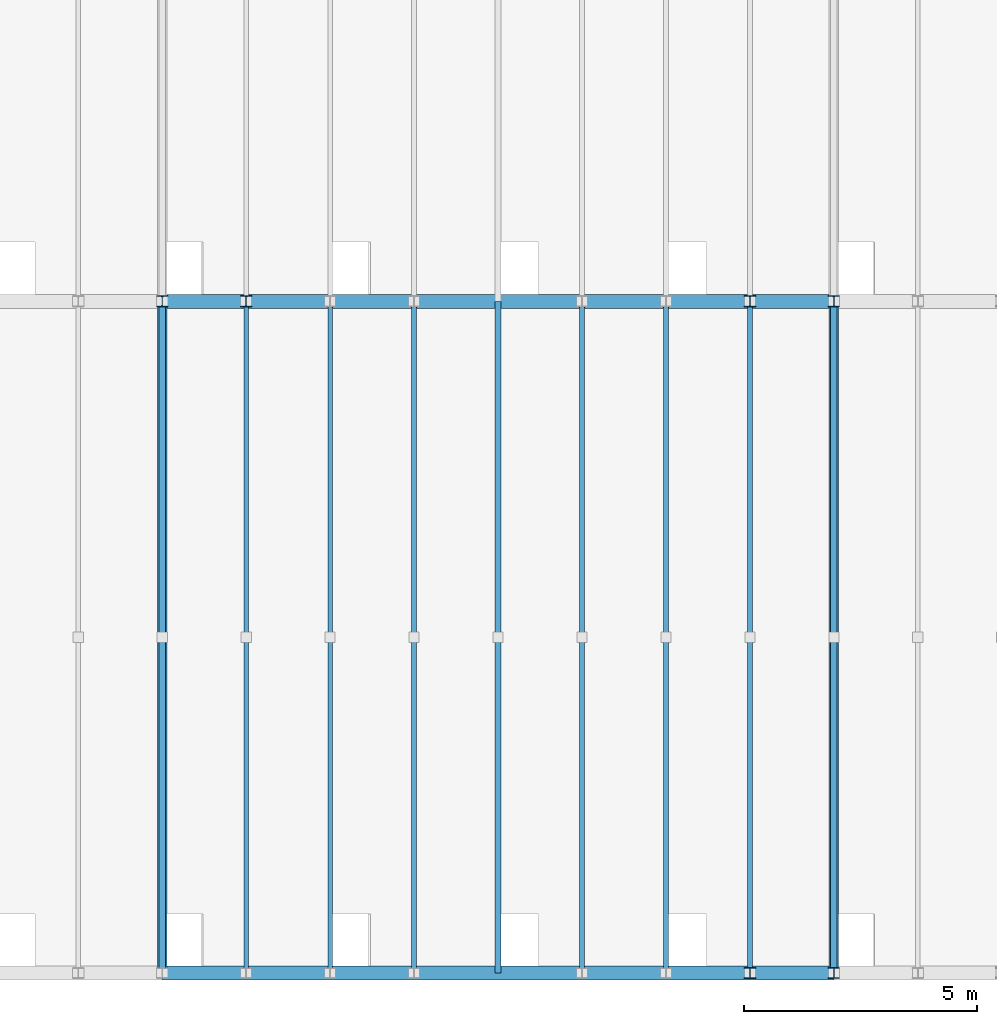
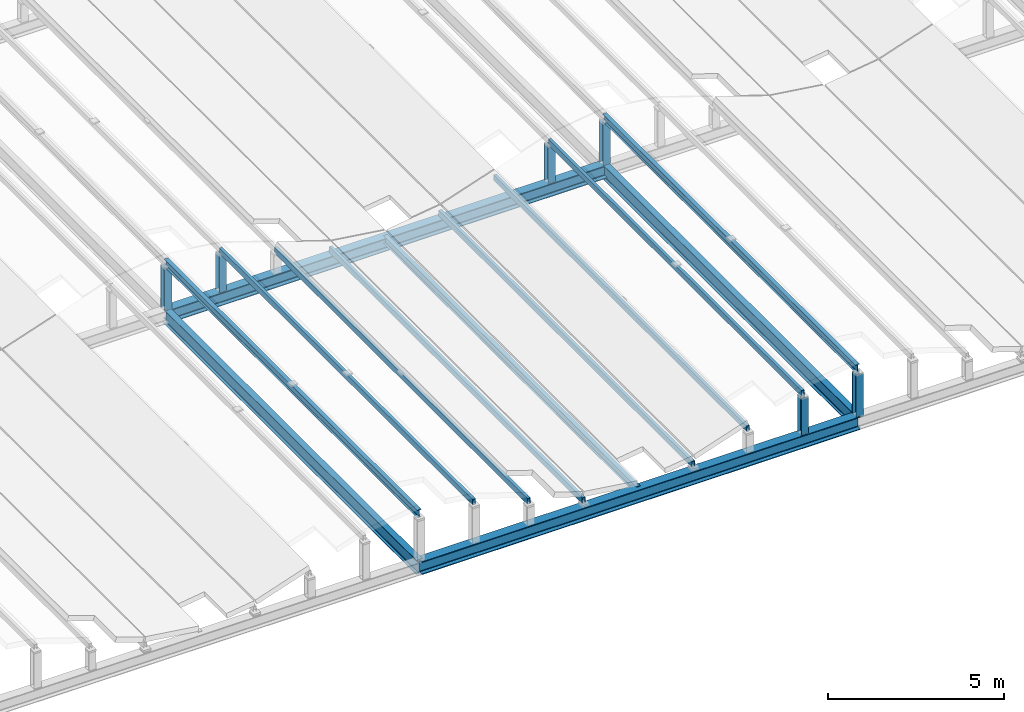
# One storey, part 26 of 83: 15 members, 4 beams.
"""IFC4 building model written with IfcOpenShell, lengths in metres."""

import ifcopenshell
import ifcopenshell.guid

model = None  # the IFC model being written
_history = None  # IfcOwnerHistory: only IFC2X3 demands one
_inside = {}  # id of a spatial element -> (the spatial element, [elements in it])
_under = {}  # id of a project, library or spatial element -> (it, [spatial elements below it])
_declared = {}  # id of a project -> (the project, [libraries it declares])
_typed = {}  # id of a type object -> (the type object, [elements of that type])
_made_of = {}  # id of a material, layer set ... -> (it, [elements and type objects made of it])


def new_model(schema):
    """Start an empty IFC model of exactly this schema.

    Asked for "IFC4X3", IfcOpenShell would pick the latest addendum, in which some entities
    have other attributes; the version numbers below select the first issue.
    IFC2X3 requires an IfcOwnerHistory on every rooted entity: one is made here for all.
    """
    global model, _history
    if schema == "IFC4X3":
        model = ifcopenshell.file(schema_version=(4, 3, 0, 0))
    else:
        model = ifcopenshell.file(schema=schema)
    _inside.clear()
    _under.clear()
    _declared.clear()
    _typed.clear()
    _made_of.clear()
    _history = None
    if model.schema == "IFC2X3":
        org = make("IfcOrganization", Name="unknown")
        user = make(
            "IfcPersonAndOrganization",
            ThePerson=make("IfcPerson", FamilyName="unknown"),
            TheOrganization=org,
        )
        app = make(
            "IfcApplication",
            ApplicationDeveloper=org,
            Version="unknown",
            ApplicationFullName="unknown",
            ApplicationIdentifier="unknown",
        )
        _history = make(
            "IfcOwnerHistory",
            OwningUser=user,
            OwningApplication=app,
            ChangeAction="ADDED",
            CreationDate=0,
        )
    return model


def make(cls, **values):
    """One entity of the class cls with the attributes given. An attribute that is None is left unset."""
    return model.create_entity(
        cls, **{name: value for name, value in values.items() if value is not None}
    )


def rooted(cls, **values):
    """An entity with a GlobalId (a new one), such as an element, a storey or a relation."""
    return make(cls, GlobalId=ifcopenshell.guid.new(), OwnerHistory=_history, **values)


def si_unit(unit_type, name, prefix=None):
    """IfcSIUnit, for example si_unit("LENGTHUNIT", "METRE", prefix="MILLI")."""
    return make("IfcSIUnit", UnitType=unit_type, Prefix=prefix, Name=name)


def assignment(units):
    """IfcUnitAssignment: the units of a project."""
    return None if units is None else make("IfcUnitAssignment", Units=units)


def point(xyz):
    """IfcCartesianPoint."""
    return None if xyz is None else make("IfcCartesianPoint", Coordinates=xyz)


def direction(xyz):
    """IfcDirection."""
    return None if xyz is None else make("IfcDirection", DirectionRatios=xyz)


def frame(location, z_axis=None, x_axis=None):
    """IfcAxis2Placement3D, a coordinate frame: its origin and axes. An axis left out is left unset."""
    return make(
        "IfcAxis2Placement3D",
        Location=point(location),
        Axis=direction(z_axis),
        RefDirection=direction(x_axis),
    )


def frame_2d(location, x_axis=None):
    """IfcAxis2Placement2D, a coordinate frame in the plane: its origin and x axis."""
    return make(
        "IfcAxis2Placement2D", Location=point(location), RefDirection=direction(x_axis)
    )


def origin():
    """The frame at (0, 0, 0) with its axes left unset."""
    return frame((0.0, 0.0, 0.0))


def origin_2d():
    """The frame at (0, 0) in the plane with its x axis left unset."""
    return frame_2d((0.0, 0.0))


def place(relative_to, where):
    """IfcLocalPlacement: puts the frame where relative to a parent placement (None: the world)."""
    return make(
        "IfcLocalPlacement", PlacementRelTo=relative_to, RelativePlacement=where
    )


def context(
    kind, dimensions, precision=None, world=None, true_north=None, identifier=None
):
    """IfcGeometricRepresentationContext, for example the 3D "Model" context."""
    return make(
        "IfcGeometricRepresentationContext",
        ContextIdentifier=identifier,
        ContextType=kind,
        CoordinateSpaceDimension=dimensions,
        Precision=precision,
        WorldCoordinateSystem=world,
        TrueNorth=true_north,
    )


def subcontext(parent, identifier, kind, view, scale=None):
    """IfcGeometricRepresentationSubContext, for example "Body" below "Model"."""
    return make(
        "IfcGeometricRepresentationSubContext",
        ContextIdentifier=identifier,
        ContextType=kind,
        ParentContext=parent,
        TargetScale=scale,
        TargetView=view,
    )


def project(units=None, contexts=None):
    """IfcProject with its units and contexts."""
    return rooted(
        "IfcProject",
        Name="project",
        RepresentationContexts=contexts,
        UnitsInContext=assignment(units),
    )


def spatial(cls, under=None, at=None, **own):
    """A site, building, storey or space (cls), placed at a placement, below another one or the project."""
    s = rooted(cls, ObjectPlacement=at, **own)
    if under is not None:
        _under.setdefault(under.id(), (under, []))[1].append(s)
    return s


def profile(cls, at=None, kind="AREA", **sizes):
    """A parametric profile (cls). Its sizes go by their IFC names, for example OverallWidth=200.0."""
    return make(cls, ProfileType=kind, Position=at, **sizes)


def hollow_rectangle(**sizes):
    """IfcRectangleHollowProfileDef."""
    return profile("IfcRectangleHollowProfileDef", **sizes)


def i_section(**sizes):
    """IfcIShapeProfileDef."""
    return profile("IfcIShapeProfileDef", **sizes)


def extrude(swept, where, along, depth):
    """IfcExtrudedAreaSolid: the profile swept, set in the frame where, extruded along a direction by depth."""
    return make(
        "IfcExtrudedAreaSolid",
        SweptArea=swept,
        Position=where,
        ExtrudedDirection=direction(along),
        Depth=depth,
    )


def shape(context_of_items, identifier, shape_type, items):
    """IfcShapeRepresentation: the items that make up one representation, for example the "Body"."""
    return make(
        "IfcShapeRepresentation",
        ContextOfItems=context_of_items,
        RepresentationIdentifier=identifier,
        RepresentationType=shape_type,
        Items=items,
    )


def material(Name=None, Category=None):
    """IfcMaterial."""
    return make("IfcMaterial", Name=Name, Category=Category)


def material_profile(
    of_material, cross_section, Name=None, Category=None, Priority=None
):
    """IfcMaterialProfile: a cross section and its material."""
    return make(
        "IfcMaterialProfile",
        Name=Name,
        Material=of_material,
        Profile=cross_section,
        Priority=Priority,
        Category=Category,
    )


def profile_set(profiles, Name=None, composite=None):
    """IfcMaterialProfileSet."""
    return make(
        "IfcMaterialProfileSet",
        Name=Name,
        MaterialProfiles=profiles,
        CompositeProfile=composite,
    )


def made_of(thing, what):
    """Note that an element or type object is made of a material, layer set ...; save() writes the relation."""
    if what is not None:
        _made_of.setdefault(what.id(), (what, []))[1].append(thing)
    return thing


def type_object(cls, material=None, **own):
    """A type object (cls), such as IfcWallType, which elements share."""
    return made_of(rooted(cls, **own), material)


def element(
    cls,
    number,
    at=None,
    inside=None,
    cuts=None,
    type_object=None,
    material=None,
    context=None,
    identifier="Body",
    shape_type=None,
    held_by="IfcProductDefinitionShape",
    body=None,
    shapes=None,
    **own,
):
    """One element of the class cls, such as IfcWall. Its Tag is "e" and its number.

    at: its placement. inside: the storey or other place that contains it. cuts: it is an
    opening in that element (IfcRelVoidsElement). A single representation is given by context,
    identifier, shape_type and body (its items); several are given by shapes. held_by: the class
    of the entity that holds the representations. save() writes the other relations.
    """
    e = rooted(cls, Tag="e%d" % number, ObjectPlacement=at, **own)
    if body is not None:
        shapes = [shape(context, identifier, shape_type, body)]
    if shapes is not None:
        e.Representation = make(held_by, Representations=shapes)
    if inside is not None:
        _inside.setdefault(inside.id(), (inside, []))[1].append(e)
    if cuts is not None:
        rooted(
            "IfcRelVoidsElement", RelatingBuildingElement=cuts, RelatedOpeningElement=e
        )
    if type_object is not None:
        _typed.setdefault(type_object.id(), (type_object, []))[1].append(e)
    return made_of(e, material)


def aggregate(whole, parts):
    """IfcRelAggregates: a whole, such as a stair, and the parts it consists of."""
    return rooted("IfcRelAggregates", RelatingObject=whole, RelatedObjects=parts)


def save(model, path):
    """Write the relations noted so far, then the file.

    IfcRelAggregates (storeys below a building ...), IfcRelContainedInSpatialStructure (elements
    in a storey), IfcRelDefinesByType, IfcRelAssociatesMaterial and IfcRelDeclares: one each for
    every whole, place, type object, material and project.
    """
    for whole, parts in _under.values():
        aggregate(whole, parts)
    for where, things in _inside.values():
        rooted(
            "IfcRelContainedInSpatialStructure",
            RelatedElements=things,
            RelatingStructure=where,
        )
    for kind, things in _typed.values():
        rooted("IfcRelDefinesByType", RelatedObjects=things, RelatingType=kind)
    for what, things in _made_of.values():
        rooted("IfcRelAssociatesMaterial", RelatedObjects=things, RelatingMaterial=what)
    for by, libraries in _declared.values():
        rooted("IfcRelDeclares", RelatingContext=by, RelatedDefinitions=libraries)
    model.write(path)


model = new_model("IFC4")

# Units and contexts
model_context = context("Model", 3, precision=1e-05, world=origin(), true_north=direction((0.0, 1.0)))
body_context = subcontext(model_context, "Body", "Model", "MODEL_VIEW")
ifc_project = project(units=[si_unit("LENGTHUNIT", "METRE"), si_unit("AREAUNIT", "SQUARE_METRE"), si_unit("VOLUMEUNIT", "CUBIC_METRE"), si_unit("PLANEANGLEUNIT", "RADIAN"), si_unit("MASSUNIT", "GRAM", prefix="KILO")], contexts=[model_context])

# Site, building, storey
site_placement = place(None, origin())
site = spatial("IfcSite", under=ifc_project, at=site_placement, CompositionType="ELEMENT")
building_placement = place(site_placement, origin())
building = spatial("IfcBuilding", under=site, at=building_placement, Name="Leyfeld Transit Interchange", CompositionType="ELEMENT")
storey_placement = place(building_placement, frame((0.0, 0.0, 5.39990234375)))
storey = spatial("IfcBuildingStorey", under=building, at=storey_placement, Name="L01", CompositionType="ELEMENT", Elevation=5.39990234375)

# Beams
ifc_material = material(Name="Steel S355J2", Category="steel")
ifc_material_profile_1 = material_profile(ifc_material, i_section(OverallWidth=0.300048828125, OverallDepth=0.449951171875, WebThickness=0.013916015625, FlangeThickness=0.02587890625, FilletRadius=0.027099609375, at=origin_2d()), Name="HEB 450")
ifc_profile_set_1 = profile_set([ifc_material_profile_1], Name="Steel S355J2")
beam_type_1 = type_object("IfcBeamType", Name="BM-STL-HEB450", PredefinedType="JOIST", material=ifc_profile_set_1)
for number, where, z_axis, x_axis, name in (
    (1, (144.0, 0.0, 0.675048828125), (1.0, 0.0, 0.0), (0.0, 1.0, 0.0), "Bus Canopy Longitudinal Girder R1 B4"),
    (2, (144.0, 14.39990234375, 0.675048828125), (1.0, 0.0, 0.0), (0.0, 1.0, 0.0), "Bus Canopy Longitudinal Girder R2 B4"),
):
    element("IfcBeam", number, at=place(storey_placement, frame(where, z_axis=z_axis, x_axis=x_axis)), inside=storey, type_object=beam_type_1, Name=name, PredefinedType="JOIST", context=body_context, shape_type="SweptSolid", body=[
        extrude(i_section(OverallWidth=0.300048828125, OverallDepth=0.449951171875, WebThickness=0.013916015625, FlangeThickness=0.02587890625, FilletRadius=0.027099609375, at=origin_2d()), origin(), (0.0, 0.0, 1.0), 14.39990234375),
    ])
ifc_material_profile_2 = material_profile(ifc_material, i_section(OverallWidth=0.199951171875, OverallDepth=0.5, WebThickness=0.01025390625, FlangeThickness=0.01611328125, FilletRadius=0.02099609375, at=origin_2d()), Name="IPE 500")
ifc_profile_set_2 = profile_set([ifc_material_profile_2], Name="Steel S355J2")
beam_type_2 = type_object("IfcBeamType", Name="BM-STL-IPE500", PredefinedType="BEAM", material=ifc_profile_set_2)
for number, where, z_axis, x_axis, name in (
    (3, (144.0, 0.0, 0.650146484375), (0.0, 1.0, 0.0), (-1.0, 0.0, 0.0), "Bus Canopy Transverse Portal Girder B4 R1"),
    (4, (158.39990234375, 0.0, 0.650146484375), (0.0, 1.0, 0.0), (-1.0, 0.0, 0.0), "Bus Canopy Transverse Portal Girder B5 R1"),
):
    element("IfcBeam", number, at=place(storey_placement, frame(where, z_axis=z_axis, x_axis=x_axis)), inside=storey, type_object=beam_type_2, Name=name, PredefinedType="BEAM", context=body_context, shape_type="SweptSolid", body=[
        extrude(i_section(OverallWidth=0.199951171875, OverallDepth=0.5, WebThickness=0.01025390625, FlangeThickness=0.01611328125, FilletRadius=0.02099609375, at=origin_2d()), origin(), (0.0, 0.0, 1.0), 14.39990234375),
    ])

# Members
ifc_material_profile_3 = material_profile(ifc_material, i_section(OverallWidth=0.239990234375, OverallDepth=0.22998046875, WebThickness=0.007568359375, FlangeThickness=0.011962890625, FilletRadius=0.02099609375, at=origin_2d()), Name="HEA 240")
ifc_profile_set_3 = profile_set([ifc_material_profile_3], Name="Steel S355J2")
member_type_1 = type_object("IfcMemberType", Name="MEM-CHD-HEA240", PredefinedType="CHORD", material=ifc_profile_set_3)
member_1_placement = place(storey_placement, frame((144.0, 14.39990234375, 0.860107421875), z_axis=(0.0, 0.0, 1.0), x_axis=(1.0, 0.0, 0.0)))
element("IfcMember", 5, at=member_1_placement, inside=storey, type_object=member_type_1, Name="Wave Canopy Riser Post 160", PredefinedType="CHORD", context=body_context, shape_type="SweptSolid", body=[
    extrude(i_section(OverallWidth=0.239990234375, OverallDepth=0.22998046875, WebThickness=0.007568359375, FlangeThickness=0.011962890625, FilletRadius=0.02099609375, at=origin_2d()), origin(), (0.0, 0.0, 1.0), 1.503173828125),
])
member_2_placement = place(storey_placement, frame((145.800048828125, 14.39990234375, 0.860107421875), z_axis=(0.0, 0.0, 1.0), x_axis=(1.0, 0.0, 0.0)))
element("IfcMember", 6, at=member_2_placement, inside=storey, type_object=member_type_1, Name="Wave Canopy Riser Post 167", PredefinedType="CHORD", context=body_context, shape_type="SweptSolid", body=[
    extrude(i_section(OverallWidth=0.239990234375, OverallDepth=0.22998046875, WebThickness=0.007568359375, FlangeThickness=0.011962890625, FilletRadius=0.02099609375, at=origin_2d()), origin(), (0.0, 0.0, 1.0), 1.3154296875),
])
member_3_placement = place(storey_placement, frame((156.60009765625, 0.0, 0.860107421875), z_axis=(0.0, 0.0, 1.0), x_axis=(1.0, 0.0, 0.0)))
element("IfcMember", 7, at=member_3_placement, inside=storey, type_object=member_type_1, Name="Wave Canopy Riser Post 203", PredefinedType="CHORD", context=body_context, shape_type="SweptSolid", body=[
    extrude(i_section(OverallWidth=0.239990234375, OverallDepth=0.22998046875, WebThickness=0.007568359375, FlangeThickness=0.011962890625, FilletRadius=0.02099609375, at=origin_2d()), origin(), (0.0, 0.0, 1.0), 1.2998046875),
])
member_4_placement = place(storey_placement, frame((156.60009765625, 14.39990234375, 0.860107421875), z_axis=(0.0, 0.0, 1.0), x_axis=(1.0, 0.0, 0.0)))
element("IfcMember", 8, at=member_4_placement, inside=storey, type_object=member_type_1, Name="Wave Canopy Riser Post 205", PredefinedType="CHORD", context=body_context, shape_type="SweptSolid", body=[
    extrude(i_section(OverallWidth=0.239990234375, OverallDepth=0.22998046875, WebThickness=0.007568359375, FlangeThickness=0.011962890625, FilletRadius=0.02099609375, at=origin_2d()), origin(), (0.0, 0.0, 1.0), 1.3154296875),
])
member_5_placement = place(storey_placement, frame((158.39990234375, 0.0, 0.860107421875), z_axis=(0.0, 0.0, 1.0), x_axis=(1.0, 0.0, 0.0)))
element("IfcMember", 9, at=member_5_placement, inside=storey, type_object=member_type_1, Name="Wave Canopy Riser Post 210", PredefinedType="CHORD", context=body_context, shape_type="SweptSolid", body=[
    extrude(i_section(OverallWidth=0.239990234375, OverallDepth=0.22998046875, WebThickness=0.007568359375, FlangeThickness=0.011962890625, FilletRadius=0.02099609375, at=origin_2d()), origin(), (0.0, 0.0, 1.0), 1.488037109375),
])
member_6_placement = place(storey_placement, frame((158.39990234375, 14.39990234375, 0.860107421875), z_axis=(0.0, 0.0, 1.0), x_axis=(1.0, 0.0, 0.0)))
element("IfcMember", 10, at=member_6_placement, inside=storey, type_object=member_type_1, Name="Wave Canopy Riser Post 212", PredefinedType="CHORD", context=body_context, shape_type="SweptSolid", body=[
    extrude(i_section(OverallWidth=0.239990234375, OverallDepth=0.22998046875, WebThickness=0.007568359375, FlangeThickness=0.011962890625, FilletRadius=0.02099609375, at=origin_2d()), origin(), (0.0, 0.0, 1.0), 1.503173828125),
])
ifc_material_profile_4 = material_profile(ifc_material, i_section(OverallWidth=0.135009765625, OverallDepth=0.27001953125, WebThickness=0.006591796875, FlangeThickness=0.01025390625, FilletRadius=0.014892578125, at=origin_2d()), Name="IPE 270")
ifc_profile_set_4 = profile_set([ifc_material_profile_4], Name="Steel S355J2")
member_type_2 = type_object("IfcMemberType", Name="MEM-PUR-IPE270", PredefinedType="PURLIN", material=ifc_profile_set_4)
for number, where, z_axis, x_axis, name in (
    (11, (144.0, 0.0, 2.483154296875), (0.0, 1.0, 0.0), (-1.0, 0.0, 0.0), "Bus Canopy Purlin 157"),
    (12, (151.199951171875, 0.0, 0.777587890625), (0.0, 1.0, 0.0), (-1.0, 0.0, 0.0), "Bus Canopy Purlin 185"),
    (13, (158.39990234375, 0.0, 2.483154296875), (0.0, 1.0, 0.0), (-1.0, 0.0, 0.0), "Bus Canopy Purlin 209"),
):
    element("IfcMember", number, at=place(storey_placement, frame(where, z_axis=z_axis, x_axis=x_axis)), inside=storey, type_object=member_type_2, Name=name, PredefinedType="PURLIN", context=body_context, shape_type="SweptSolid", body=[
        extrude(i_section(OverallWidth=0.135009765625, OverallDepth=0.27001953125, WebThickness=0.006591796875, FlangeThickness=0.01025390625, FilletRadius=0.014892578125, at=origin_2d()), origin(), (0.0, 0.0, 1.0), 14.39990234375),
    ])
ifc_material_profile_5 = material_profile(ifc_material, hollow_rectangle(XDim=0.10009765625, YDim=0.199951171875, WallThickness=0.008056640625, at=origin_2d()), Name="RHS 200x100x8")
ifc_profile_set_5 = profile_set([ifc_material_profile_5], Name="Steel S355J2")
member_type_3 = type_object("IfcMemberType", Name="MEM-PUR-RHS200", PredefinedType="PURLIN", material=ifc_profile_set_5)
for number, where, z_axis, x_axis, name in (
    (14, (145.800048828125, 0.0, 2.259765625), (0.0, 1.0, 0.0), (-1.0, 0.0, 0.0), "Bus Canopy Purlin 164"),
    (15, (147.60009765625, 0.0, 1.656494140625), (0.0, 1.0, 0.0), (-1.0, 0.0, 0.0), "Bus Canopy Purlin 171"),
    (16, (149.39990234375, 0.0, 1.0546875), (0.0, 1.0, 0.0), (-1.0, 0.0, 0.0), "Bus Canopy Purlin 178"),
    (17, (153.0, 0.0, 1.0546875), (0.0, 1.0, 0.0), (-1.0, 0.0, 0.0), "Bus Canopy Purlin 188"),
    (18, (154.800048828125, 0.0, 1.656494140625), (0.0, 1.0, 0.0), (-1.0, 0.0, 0.0), "Bus Canopy Purlin 195"),
    (19, (156.60009765625, 0.0, 2.259765625), (0.0, 1.0, 0.0), (-1.0, 0.0, 0.0), "Bus Canopy Purlin 202"),
):
    element("IfcMember", number, at=place(storey_placement, frame(where, z_axis=z_axis, x_axis=x_axis)), inside=storey, type_object=member_type_3, Name=name, PredefinedType="PURLIN", context=body_context, shape_type="SweptSolid", body=[
        extrude(hollow_rectangle(XDim=0.10009765625, YDim=0.199951171875, WallThickness=0.008056640625, at=origin_2d()), origin(), (0.0, 0.0, 1.0), 14.39990234375),
    ])

save(model, "model.ifc")
